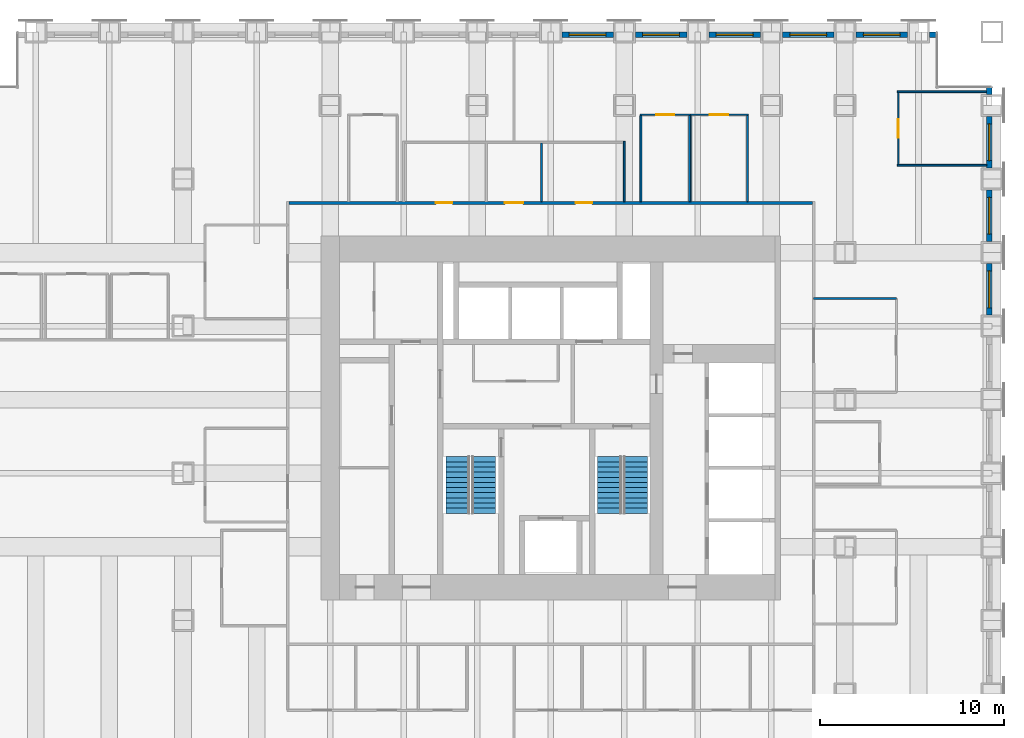
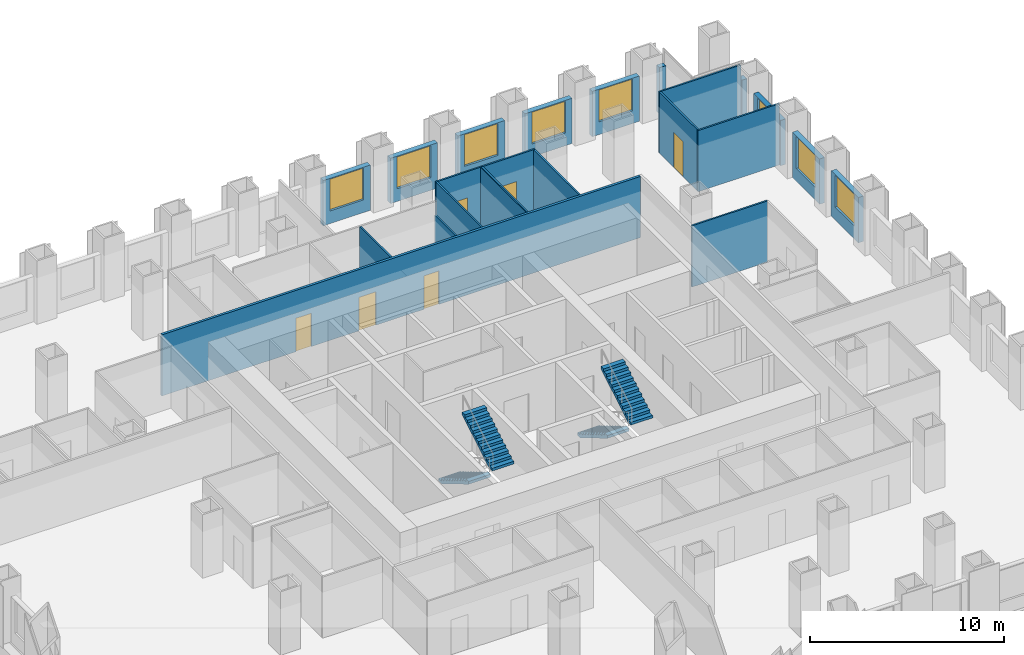
# One storey, part 12 of 14: 23 walls, 8 windows, 6 doors, 4 stair flights, 14 openings, 2 elements without a shape of their own.
"""IFC4 building model written with IfcOpenShell, lengths in metres."""

from ifc_helpers import new_model, si_unit, direction, frame, frame_2d, origin, place, context, subcontext, project, spatial, polyline, rectangle, outline, extrude, material, layer, layer_set, type_object, element, fill, aggregate, save


model = new_model("IFC4")

# Units and contexts
model_context = context("Model", 3, precision=1e-05, world=origin(), true_north=direction((0.0, 1.0)))
body_context = subcontext(model_context, "Body", "Model", "MODEL_VIEW")
ifc_project = project(units=[si_unit("LENGTHUNIT", "METRE"), si_unit("AREAUNIT", "SQUARE_METRE"), si_unit("VOLUMEUNIT", "CUBIC_METRE"), si_unit("PLANEANGLEUNIT", "RADIAN"), si_unit("MASSUNIT", "GRAM", prefix="KILO")], contexts=[model_context])

# Site, building, storey
site_placement = place(None, origin())
site = spatial("IfcSite", under=ifc_project, at=site_placement, CompositionType="ELEMENT")
building_placement = place(site_placement, origin())
building = spatial("IfcBuilding", under=site, at=building_placement, Name="Rimbunsela Tower", CompositionType="ELEMENT")
storey_placement = place(building_placement, frame((0.0, 0.0, 59.0)))
storey = spatial("IfcBuildingStorey", under=building, at=storey_placement, Name="L14", CompositionType="ELEMENT", Elevation=59.0)

# Wall
ifc_material_1 = material(Name="Gypsum board on steel studs", Category="steel")
ifc_layer_1 = layer(ifc_material_1, 0.10009765625)
ifc_layer_set_1 = layer_set([ifc_layer_1], Name="Office partition 100")
wall_type_1 = type_object("IfcWallType", Name="Office partition 100", PredefinedType="PARTITIONING", material=ifc_layer_set_1)
wall_1_placement = place(storey_placement, frame((48.85009765625, 40.75, 0.0), z_axis=(0.0, 0.0, 1.0), x_axis=(1.0, 0.0, 0.0)))
element("IfcWall", 1, at=wall_1_placement, inside=storey, type_object=wall_type_1, Name="Office partition", PredefinedType="PARTITIONING", context=body_context, shape_type="SweptSolid", body=[
    extrude(rectangle(XDim=4.849853515625, YDim=0.10009765625, at=frame_2d((2.4248046875, 0.0))), origin(), (0.0, 0.0, 1.0), 3.85009765625),
])

# Wall, opening, door
wall_2_placement = place(storey_placement, frame((34.85009765625, 43.5, 0.0), z_axis=(0.0, 0.0, 1.0), x_axis=(1.0, 0.0, 0.0)))
wall_2 = element("IfcWall", 2, at=wall_2_placement, inside=storey, type_object=wall_type_1, Name="Office partition", PredefinedType="PARTITIONING", context=body_context, shape_type="SweptSolid", body=[
    extrude(rectangle(XDim=2.75, YDim=0.10009765625, at=frame_2d((1.375, 0.0))), origin(), (0.0, 0.0, 1.0), 3.85009765625),
])
opening_1_placement = place(wall_2_placement, frame((0.875, 0.0, 0.0)))
opening_1 = element("IfcOpeningElement", 3, at=opening_1_placement, cuts=wall_2, Name="Opening D16", PredefinedType="OPENING", context=body_context, shape_type="SweptSolid", body=[
    extrude(rectangle(XDim=1.0, YDim=2.199951171875, at=frame_2d((0.5, 1.10009765625))), frame((0.0, 0.06005859375, 0.0), z_axis=(0.0, -1.0, 0.0), x_axis=(1.0, 0.0, 0.0)), (0.0, 0.0, 1.0), 0.1201171875),
])
ifc_material_2 = material(Name="Timber door", Category="wood")
door_type_1 = type_object("IfcDoorType", Name="Office door 1000", OperationType="SINGLE_SWING_LEFT", PredefinedType="DOOR", material=ifc_material_2)
door_1_placement = place(opening_1_placement, origin())
door_1 = element("IfcDoor", 4, at=door_1_placement, inside=storey, type_object=door_type_1, Name="Office door", OperationType="SINGLE_SWING_LEFT", OverallHeight=2.199951171875, OverallWidth=1.0, PredefinedType="DOOR", context=body_context, shape_type="SweptSolid", body=[
    extrude(rectangle(XDim=1.0, YDim=2.199951171875, at=frame_2d((0.5, 1.10009765625))), frame((0.0, 0.02490234375, 0.0), z_axis=(0.0, -1.0, 0.0), x_axis=(1.0, 0.0, 0.0)), (0.0, 0.0, 1.0), 0.050048828125),
])
fill(opening_1, door_1)

wall_3_placement = place(storey_placement, frame((37.550048828125, 43.5, 0.0), z_axis=(0.0, 0.0, 1.0), x_axis=(1.0, 0.0, 0.0)))
wall_3 = element("IfcWall", 5, at=wall_3_placement, inside=storey, type_object=wall_type_1, Name="Office partition", PredefinedType="PARTITIONING", context=body_context, shape_type="SweptSolid", body=[
    extrude(rectangle(XDim=3.199951171875, YDim=0.10009765625, at=frame_2d((1.60009765625, 0.0))), origin(), (0.0, 0.0, 1.0), 3.85009765625),
])
opening_2_placement = place(wall_3_placement, frame((1.10009765625, 0.0, 0.0)))
opening_2 = element("IfcOpeningElement", 6, at=opening_2_placement, cuts=wall_3, Name="Opening D16", PredefinedType="OPENING", context=body_context, shape_type="SweptSolid", body=[
    extrude(rectangle(XDim=1.0, YDim=2.199951171875, at=frame_2d((0.5, 1.10009765625))), frame((0.0, 0.06005859375, 0.0), z_axis=(0.0, -1.0, 0.0), x_axis=(1.0, 0.0, 0.0)), (0.0, 0.0, 1.0), 0.1201171875),
])
door_2_placement = place(opening_2_placement, origin())
door_2 = element("IfcDoor", 7, at=door_2_placement, inside=storey, type_object=door_type_1, Name="Office door", OperationType="SINGLE_SWING_LEFT", OverallHeight=2.199951171875, OverallWidth=1.0, PredefinedType="DOOR", context=body_context, shape_type="SweptSolid", body=[
    extrude(rectangle(XDim=1.0, YDim=2.199951171875, at=frame_2d((0.5, 1.10009765625))), frame((0.0, 0.02490234375, 0.0), z_axis=(0.0, -1.0, 0.0), x_axis=(1.0, 0.0, 0.0)), (0.0, 0.0, 1.0), 0.050048828125),
])
fill(opening_2, door_2)

# Walls
wall_4_placement = place(storey_placement, frame((48.85009765625, 44.75, 0.0), z_axis=(0.0, 0.0, 1.0), x_axis=(1.0, 0.0, 0.0)))
element("IfcWall", 8, at=wall_4_placement, inside=storey, type_object=wall_type_1, Name="Office partition", PredefinedType="PARTITIONING", context=body_context, shape_type="SweptSolid", body=[
    extrude(rectangle(XDim=4.849853515625, YDim=0.10009765625, at=frame_2d((2.4248046875, 0.0))), origin(), (0.0, 0.0, 1.0), 3.85009765625),
])
for number, where, z_axis, x_axis, name in (
    (9, (34.89990234375, 38.77490234375, 0.0), (0.0, 0.0, 1.0), (0.0, 1.0, 0.0), "Office partition"),
    (10, (37.550048828125, 38.77490234375, 0.0), (0.0, 0.0, 1.0), (0.0, 1.0, 0.0), "Office partition"),
    (11, (37.60009765625, 38.77490234375, 0.0), (0.0, 0.0, 1.0), (0.0, 1.0, 0.0), "Office partition"),
    (12, (40.699951171875, 38.77490234375, 0.0), (0.0, 0.0, 1.0), (0.0, 1.0, 0.0), "Office partition"),
):
    element("IfcWall", number, at=place(storey_placement, frame(where, z_axis=z_axis, x_axis=x_axis)), inside=storey, type_object=wall_type_1, Name=name, PredefinedType="PARTITIONING", context=body_context, shape_type="SweptSolid", body=[
        extrude(rectangle(XDim=4.675048828125, YDim=0.10009765625, at=frame_2d((2.33740234375, 0.0))), origin(), (0.0, 0.0, 1.0), 3.85009765625),
    ])

# Wall, opening, door
wall_5_placement = place(storey_placement, frame((48.89990234375, 40.800048828125, 0.0), z_axis=(0.0, 0.0, 1.0), x_axis=(0.0, 1.0, 0.0)))
wall_5 = element("IfcWall", 13, at=wall_5_placement, inside=storey, type_object=wall_type_1, Name="Office partition", PredefinedType="PARTITIONING", context=body_context, shape_type="SweptSolid", body=[
    extrude(rectangle(XDim=3.89990234375, YDim=0.10009765625, at=frame_2d((1.949951171875, 0.0))), origin(), (0.0, 0.0, 1.0), 3.85009765625),
])
opening_3_placement = place(wall_5_placement, frame((1.449951171875, 0.0, 0.0)))
opening_3 = element("IfcOpeningElement", 14, at=opening_3_placement, cuts=wall_5, Name="Opening D17", PredefinedType="OPENING", context=body_context, shape_type="SweptSolid", body=[
    extrude(rectangle(XDim=1.0, YDim=2.199951171875, at=frame_2d((0.5, 1.10009765625))), frame((0.0, 0.06005859375, 0.0), z_axis=(0.0, -1.0, 0.0), x_axis=(1.0, 0.0, 0.0)), (0.0, 0.0, 1.0), 0.1201171875),
])
ifc_material_3 = material(Name="Glazed aluminium door", Category="aluminium")
door_type_2 = type_object("IfcDoorType", Name="Meeting room door 1000 glazed", OperationType="SINGLE_SWING_RIGHT", PredefinedType="DOOR", material=ifc_material_3)
door_3_placement = place(opening_3_placement, origin())
door_3 = element("IfcDoor", 15, at=door_3_placement, inside=storey, type_object=door_type_2, Name="Meeting room door", OperationType="SINGLE_SWING_RIGHT", OverallHeight=2.199951171875, OverallWidth=1.0, PredefinedType="DOOR", context=body_context, shape_type="SweptSolid", body=[
    extrude(rectangle(XDim=1.0, YDim=2.199951171875, at=frame_2d((0.5, 1.10009765625))), frame((0.0, 0.02490234375, 0.0), z_axis=(0.0, -1.0, 0.0), x_axis=(1.0, 0.0, 0.0)), (0.0, 0.0, 1.0), 0.050048828125),
])
fill(opening_3, door_3)

# Wall
wall_6_placement = place(storey_placement, frame((48.800048828125, 33.5, 0.0), z_axis=(0.0, 0.0, 1.0), x_axis=(-1.0, 0.0, 0.0)))
element("IfcWall", 16, at=wall_6_placement, inside=storey, type_object=wall_type_1, Name="Office partition", PredefinedType="PARTITIONING", context=body_context, shape_type="SweptSolid", body=[
    extrude(rectangle(XDim=4.5, YDim=0.10009765625, at=frame_2d((2.25, 0.0))), origin(), (0.0, 0.0, 1.0), 3.85009765625),
])

# Wall, opening, window
ifc_material_4 = material(Name="Precast concrete fc' 35 MPa", Category="concrete")
ifc_layer_2 = layer(ifc_material_4, 0.300048828125)
ifc_layer_set_2 = layer_set([ifc_layer_2], Name="Precast concrete fc' 35 MPa")
wall_type_2 = type_object("IfcWallType", Name="Precast facade panel 300", PredefinedType="ELEMENTEDWALL", material=ifc_layer_set_2)
wall_7_placement = place(storey_placement, frame((53.85009765625, 32.60009765625, 0.0), z_axis=(0.0, 0.0, 1.0), x_axis=(0.0, 1.0, 0.0)))
wall_7 = element("IfcWall", 17, at=wall_7_placement, inside=storey, type_object=wall_type_2, Name="Facade panel E L14", PredefinedType="ELEMENTEDWALL", context=body_context, shape_type="SweptSolid", body=[
    extrude(rectangle(XDim=2.7998046875, YDim=0.300048828125, at=frame_2d((1.39990234375, 0.0))), origin(), (0.0, 0.0, 1.0), 2.85009765625),
])
opening_4_placement = place(wall_7_placement, frame((0.39990234375, 0.0, 0.800048828125)))
opening_4 = element("IfcOpeningElement", 18, at=opening_4_placement, cuts=wall_7, Name="Opening W1", PredefinedType="OPENING", context=body_context, shape_type="SweptSolid", body=[
    extrude(rectangle(XDim=2.0, YDim=2.0, at=frame_2d((1.0, 1.0))), frame((0.0, 0.159912109375, 0.0), z_axis=(0.0, -1.0, 0.0), x_axis=(1.0, 0.0, 0.0)), (0.0, 0.0, 1.0), 0.320068359375),
])
ifc_material_5 = material(Name="Clear glass in aluminium frame", Category="aluminium")
window_type = type_object("IfcWindowType", Name="Window W1 2000x2000", PartitioningType="DOUBLE_PANEL_VERTICAL", PredefinedType="WINDOW", material=ifc_material_5)
window_1_placement = place(opening_4_placement, origin())
window_1 = element("IfcWindow", 19, at=window_1_placement, inside=storey, type_object=window_type, Name="Window L14", OverallHeight=2.0, OverallWidth=2.0, PartitioningType="SINGLE_PANEL", PredefinedType="WINDOW", context=body_context, shape_type="SweptSolid", body=[
    extrude(rectangle(XDim=2.0, YDim=2.0, at=frame_2d((1.0, 1.0))), frame((0.0, 0.030029296875, 0.0), z_axis=(0.0, -1.0, 0.0), x_axis=(1.0, 0.0, 0.0)), (0.0, 0.0, 1.0), 0.06005859375),
])
fill(opening_4, window_1)

wall_8_placement = place(storey_placement, frame((53.85009765625, 36.60009765625, 0.0), z_axis=(0.0, 0.0, 1.0), x_axis=(0.0, 1.0, 0.0)))
wall_8 = element("IfcWall", 20, at=wall_8_placement, inside=storey, type_object=wall_type_2, Name="Facade panel E L14", PredefinedType="ELEMENTEDWALL", context=body_context, shape_type="SweptSolid", body=[
    extrude(rectangle(XDim=2.7998046875, YDim=0.300048828125, at=frame_2d((1.39990234375, 0.0))), origin(), (0.0, 0.0, 1.0), 2.85009765625),
])
opening_5_placement = place(wall_8_placement, frame((0.39990234375, 0.0, 0.800048828125)))
opening_5 = element("IfcOpeningElement", 21, at=opening_5_placement, cuts=wall_8, Name="Opening W1", PredefinedType="OPENING", context=body_context, shape_type="SweptSolid", body=[
    extrude(rectangle(XDim=2.0, YDim=2.0, at=frame_2d((1.0, 1.0))), frame((0.0, 0.159912109375, 0.0), z_axis=(0.0, -1.0, 0.0), x_axis=(1.0, 0.0, 0.0)), (0.0, 0.0, 1.0), 0.320068359375),
])
window_2_placement = place(opening_5_placement, origin())
window_2 = element("IfcWindow", 22, at=window_2_placement, inside=storey, type_object=window_type, Name="Window L14", OverallHeight=2.0, OverallWidth=2.0, PartitioningType="SINGLE_PANEL", PredefinedType="WINDOW", context=body_context, shape_type="SweptSolid", body=[
    extrude(rectangle(XDim=2.0, YDim=2.0, at=frame_2d((1.0, 1.0))), frame((0.0, 0.030029296875, 0.0), z_axis=(0.0, -1.0, 0.0), x_axis=(1.0, 0.0, 0.0)), (0.0, 0.0, 1.0), 0.06005859375),
])
fill(opening_5, window_2)

wall_9_placement = place(storey_placement, frame((53.85009765625, 40.60009765625, 0.0), z_axis=(0.0, 0.0, 1.0), x_axis=(0.0, 1.0, 0.0)))
wall_9 = element("IfcWall", 23, at=wall_9_placement, inside=storey, type_object=wall_type_2, Name="Facade panel E L14", PredefinedType="ELEMENTEDWALL", context=body_context, shape_type="SweptSolid", body=[
    extrude(rectangle(XDim=2.7998046875, YDim=0.300048828125, at=frame_2d((1.39990234375, 0.0))), origin(), (0.0, 0.0, 1.0), 2.85009765625),
])
opening_6_placement = place(wall_9_placement, frame((0.39990234375, 0.0, 0.800048828125)))
opening_6 = element("IfcOpeningElement", 24, at=opening_6_placement, cuts=wall_9, Name="Opening W1", PredefinedType="OPENING", context=body_context, shape_type="SweptSolid", body=[
    extrude(rectangle(XDim=2.0, YDim=2.0, at=frame_2d((1.0, 1.0))), frame((0.0, 0.159912109375, 0.0), z_axis=(0.0, -1.0, 0.0), x_axis=(1.0, 0.0, 0.0)), (0.0, 0.0, 1.0), 0.320068359375),
])
window_3_placement = place(opening_6_placement, origin())
window_3 = element("IfcWindow", 25, at=window_3_placement, inside=storey, type_object=window_type, Name="Window L14", OverallHeight=2.0, OverallWidth=2.0, PartitioningType="SINGLE_PANEL", PredefinedType="WINDOW", context=body_context, shape_type="SweptSolid", body=[
    extrude(rectangle(XDim=2.0, YDim=2.0, at=frame_2d((1.0, 1.0))), frame((0.0, 0.030029296875, 0.0), z_axis=(0.0, -1.0, 0.0), x_axis=(1.0, 0.0, 0.0)), (0.0, 0.0, 1.0), 0.06005859375),
])
fill(opening_6, window_3)

# Wall
wall_10_placement = place(storey_placement, frame((53.85009765625, 44.60009765625, 0.0), z_axis=(0.0, 0.0, 1.0), x_axis=(0.0, 1.0, 0.0)))
element("IfcWall", 26, at=wall_10_placement, inside=storey, type_object=wall_type_2, Name="Facade panel E L14", PredefinedType="ELEMENTEDWALL", context=body_context, shape_type="SweptSolid", body=[
    extrude(rectangle(XDim=0.369873046875, YDim=0.300048828125, at=frame_2d((0.18505859375, 0.0))), origin(), (0.0, 0.0, 1.0), 2.949951171875),
])

# Wall, opening, window
wall_11_placement = place(storey_placement, frame((33.39990234375, 47.85009765625, 0.0), z_axis=(0.0, 0.0, 1.0), x_axis=(-1.0, 0.0, 0.0)))
wall_11 = element("IfcWall", 27, at=wall_11_placement, inside=storey, type_object=wall_type_2, Name="Facade panel N L14", PredefinedType="ELEMENTEDWALL", context=body_context, shape_type="SweptSolid", body=[
    extrude(rectangle(XDim=2.7998046875, YDim=0.300048828125, at=frame_2d((1.39990234375, 0.0))), origin(), (0.0, 0.0, 1.0), 2.85009765625),
])
opening_7_placement = place(wall_11_placement, frame((0.39990234375, 0.0, 0.800048828125)))
opening_7 = element("IfcOpeningElement", 28, at=opening_7_placement, cuts=wall_11, Name="Opening W1", PredefinedType="OPENING", context=body_context, shape_type="SweptSolid", body=[
    extrude(rectangle(XDim=2.0, YDim=2.0, at=frame_2d((1.0, 1.0))), frame((0.0, 0.159912109375, 0.0), z_axis=(0.0, -1.0, 0.0), x_axis=(1.0, 0.0, 0.0)), (0.0, 0.0, 1.0), 0.320068359375),
])
window_4_placement = place(opening_7_placement, origin())
window_4 = element("IfcWindow", 29, at=window_4_placement, inside=storey, type_object=window_type, Name="Window L14", OverallHeight=2.0, OverallWidth=2.0, PartitioningType="SINGLE_PANEL", PredefinedType="WINDOW", context=body_context, shape_type="SweptSolid", body=[
    extrude(rectangle(XDim=2.0, YDim=2.0, at=frame_2d((1.0, 1.0))), frame((0.0, 0.030029296875, 0.0), z_axis=(0.0, -1.0, 0.0), x_axis=(1.0, 0.0, 0.0)), (0.0, 0.0, 1.0), 0.06005859375),
])
fill(opening_7, window_4)

wall_12_placement = place(storey_placement, frame((37.39990234375, 47.85009765625, 0.0), z_axis=(0.0, 0.0, 1.0), x_axis=(-1.0, 0.0, 0.0)))
wall_12 = element("IfcWall", 30, at=wall_12_placement, inside=storey, type_object=wall_type_2, Name="Facade panel N L14", PredefinedType="ELEMENTEDWALL", context=body_context, shape_type="SweptSolid", body=[
    extrude(rectangle(XDim=2.7998046875, YDim=0.300048828125, at=frame_2d((1.39990234375, 0.0))), origin(), (0.0, 0.0, 1.0), 2.85009765625),
])
opening_8_placement = place(wall_12_placement, frame((0.39990234375, 0.0, 0.800048828125)))
opening_8 = element("IfcOpeningElement", 31, at=opening_8_placement, cuts=wall_12, Name="Opening W1", PredefinedType="OPENING", context=body_context, shape_type="SweptSolid", body=[
    extrude(rectangle(XDim=2.0, YDim=2.0, at=frame_2d((1.0, 1.0))), frame((0.0, 0.159912109375, 0.0), z_axis=(0.0, -1.0, 0.0), x_axis=(1.0, 0.0, 0.0)), (0.0, 0.0, 1.0), 0.320068359375),
])
window_5_placement = place(opening_8_placement, origin())
window_5 = element("IfcWindow", 32, at=window_5_placement, inside=storey, type_object=window_type, Name="Window L14", OverallHeight=2.0, OverallWidth=2.0, PartitioningType="SINGLE_PANEL", PredefinedType="WINDOW", context=body_context, shape_type="SweptSolid", body=[
    extrude(rectangle(XDim=2.0, YDim=2.0, at=frame_2d((1.0, 1.0))), frame((0.0, 0.030029296875, 0.0), z_axis=(0.0, -1.0, 0.0), x_axis=(1.0, 0.0, 0.0)), (0.0, 0.0, 1.0), 0.06005859375),
])
fill(opening_8, window_5)

wall_13_placement = place(storey_placement, frame((41.39990234375, 47.85009765625, 0.0), z_axis=(0.0, 0.0, 1.0), x_axis=(-1.0, 0.0, 0.0)))
wall_13 = element("IfcWall", 33, at=wall_13_placement, inside=storey, type_object=wall_type_2, Name="Facade panel N L14", PredefinedType="ELEMENTEDWALL", context=body_context, shape_type="SweptSolid", body=[
    extrude(rectangle(XDim=2.7998046875, YDim=0.300048828125, at=frame_2d((1.39990234375, 0.0))), origin(), (0.0, 0.0, 1.0), 2.85009765625),
])
opening_9_placement = place(wall_13_placement, frame((0.39990234375, 0.0, 0.800048828125)))
opening_9 = element("IfcOpeningElement", 34, at=opening_9_placement, cuts=wall_13, Name="Opening W1", PredefinedType="OPENING", context=body_context, shape_type="SweptSolid", body=[
    extrude(rectangle(XDim=2.0, YDim=2.0, at=frame_2d((1.0, 1.0))), frame((0.0, 0.159912109375, 0.0), z_axis=(0.0, -1.0, 0.0), x_axis=(1.0, 0.0, 0.0)), (0.0, 0.0, 1.0), 0.320068359375),
])
window_6_placement = place(opening_9_placement, origin())
window_6 = element("IfcWindow", 35, at=window_6_placement, inside=storey, type_object=window_type, Name="Window L14", OverallHeight=2.0, OverallWidth=2.0, PartitioningType="SINGLE_PANEL", PredefinedType="WINDOW", context=body_context, shape_type="SweptSolid", body=[
    extrude(rectangle(XDim=2.0, YDim=2.0, at=frame_2d((1.0, 1.0))), frame((0.0, 0.030029296875, 0.0), z_axis=(0.0, -1.0, 0.0), x_axis=(1.0, 0.0, 0.0)), (0.0, 0.0, 1.0), 0.06005859375),
])
fill(opening_9, window_6)

wall_14_placement = place(storey_placement, frame((45.39990234375, 47.85009765625, 0.0), z_axis=(0.0, 0.0, 1.0), x_axis=(-1.0, 0.0, 0.0)))
wall_14 = element("IfcWall", 36, at=wall_14_placement, inside=storey, type_object=wall_type_2, Name="Facade panel N L14", PredefinedType="ELEMENTEDWALL", context=body_context, shape_type="SweptSolid", body=[
    extrude(rectangle(XDim=2.7998046875, YDim=0.300048828125, at=frame_2d((1.39990234375, 0.0))), origin(), (0.0, 0.0, 1.0), 2.85009765625),
])
opening_10_placement = place(wall_14_placement, frame((0.39990234375, 0.0, 0.800048828125)))
opening_10 = element("IfcOpeningElement", 37, at=opening_10_placement, cuts=wall_14, Name="Opening W1", PredefinedType="OPENING", context=body_context, shape_type="SweptSolid", body=[
    extrude(rectangle(XDim=2.0, YDim=2.0, at=frame_2d((1.0, 1.0))), frame((0.0, 0.159912109375, 0.0), z_axis=(0.0, -1.0, 0.0), x_axis=(1.0, 0.0, 0.0)), (0.0, 0.0, 1.0), 0.320068359375),
])
window_7_placement = place(opening_10_placement, origin())
window_7 = element("IfcWindow", 38, at=window_7_placement, inside=storey, type_object=window_type, Name="Window L14", OverallHeight=2.0, OverallWidth=2.0, PartitioningType="SINGLE_PANEL", PredefinedType="WINDOW", context=body_context, shape_type="SweptSolid", body=[
    extrude(rectangle(XDim=2.0, YDim=2.0, at=frame_2d((1.0, 1.0))), frame((0.0, 0.030029296875, 0.0), z_axis=(0.0, -1.0, 0.0), x_axis=(1.0, 0.0, 0.0)), (0.0, 0.0, 1.0), 0.06005859375),
])
fill(opening_10, window_7)

wall_15_placement = place(storey_placement, frame((49.39990234375, 47.85009765625, 0.0), z_axis=(0.0, 0.0, 1.0), x_axis=(-1.0, 0.0, 0.0)))
wall_15 = element("IfcWall", 39, at=wall_15_placement, inside=storey, type_object=wall_type_2, Name="Facade panel N L14", PredefinedType="ELEMENTEDWALL", context=body_context, shape_type="SweptSolid", body=[
    extrude(rectangle(XDim=2.7998046875, YDim=0.300048828125, at=frame_2d((1.39990234375, 0.0))), origin(), (0.0, 0.0, 1.0), 2.85009765625),
])
opening_11_placement = place(wall_15_placement, frame((0.39990234375, 0.0, 0.800048828125)))
opening_11 = element("IfcOpeningElement", 40, at=opening_11_placement, cuts=wall_15, Name="Opening W1", PredefinedType="OPENING", context=body_context, shape_type="SweptSolid", body=[
    extrude(rectangle(XDim=2.0, YDim=2.0, at=frame_2d((1.0, 1.0))), frame((0.0, 0.159912109375, 0.0), z_axis=(0.0, -1.0, 0.0), x_axis=(1.0, 0.0, 0.0)), (0.0, 0.0, 1.0), 0.320068359375),
])
window_8_placement = place(opening_11_placement, origin())
window_8 = element("IfcWindow", 41, at=window_8_placement, inside=storey, type_object=window_type, Name="Window L14", OverallHeight=2.0, OverallWidth=2.0, PartitioningType="SINGLE_PANEL", PredefinedType="WINDOW", context=body_context, shape_type="SweptSolid", body=[
    extrude(rectangle(XDim=2.0, YDim=2.0, at=frame_2d((1.0, 1.0))), frame((0.0, 0.030029296875, 0.0), z_axis=(0.0, -1.0, 0.0), x_axis=(1.0, 0.0, 0.0)), (0.0, 0.0, 1.0), 0.06005859375),
])
fill(opening_11, window_8)

# Wall
wall_16_placement = place(storey_placement, frame((50.969970703125, 47.85009765625, 0.0), z_axis=(0.0, 0.0, 1.0), x_axis=(-1.0, 0.0, 0.0)))
element("IfcWall", 42, at=wall_16_placement, inside=storey, type_object=wall_type_2, Name="Facade panel N L14", PredefinedType="ELEMENTEDWALL", context=body_context, shape_type="SweptSolid", body=[
    extrude(rectangle(XDim=0.369873046875, YDim=0.300048828125, at=frame_2d((0.18505859375, 0.0))), origin(), (0.0, 0.0, 1.0), 2.949951171875),
])

# Wall, openings, doors
ifc_material_6 = material(Name="Fire-rated gypsum board on steel studs, EI 60", Category="steel")
ifc_layer_3 = layer(ifc_material_6, 0.14990234375)
ifc_layer_set_3 = layer_set([ifc_layer_3], Name="Rated corridor wall 150")
wall_type_3 = type_object("IfcWallType", Name="Rated corridor wall 150", PredefinedType="PARTITIONING", material=ifc_layer_set_3)
wall_17_placement = place(storey_placement, frame((15.77490234375, 38.699951171875, 0.0), z_axis=(0.0, 0.0, 1.0), x_axis=(1.0, 0.0, 0.0)))
wall_17 = element("IfcWall", 43, at=wall_17_placement, inside=storey, type_object=wall_type_3, Name="Corridor wall north", PredefinedType="PARTITIONING", context=body_context, shape_type="SweptSolid", body=[
    extrude(rectangle(XDim=28.4501953125, YDim=0.14990234375, at=frame_2d((14.22509765625, 0.0))), origin(), (0.0, 0.0, 1.0), 3.85009765625),
])
opening_12_placement = place(wall_17_placement, frame((7.97509765625, 0.0, 0.0)))
opening_12 = element("IfcOpeningElement", 44, at=opening_12_placement, cuts=wall_17, Name="Opening D04", PredefinedType="OPENING", context=body_context, shape_type="SweptSolid", body=[
    extrude(rectangle(XDim=0.89990234375, YDim=2.10009765625, at=frame_2d((0.449951171875, 1.050048828125))), frame((0.0, 0.0849609375, 0.0), z_axis=(0.0, -1.0, 0.0), x_axis=(1.0, 0.0, 0.0)), (0.0, 0.0, 1.0), 0.169921875),
])
opening_13_placement = place(wall_17_placement, frame((11.72509765625, 0.0, 0.0)))
opening_13 = element("IfcOpeningElement", 45, at=opening_13_placement, cuts=wall_17, Name="Opening D05", PredefinedType="OPENING", context=body_context, shape_type="SweptSolid", body=[
    extrude(rectangle(XDim=1.0, YDim=2.10009765625, at=frame_2d((0.5, 1.050048828125))), frame((0.0, 0.0849609375, 0.0), z_axis=(0.0, -1.0, 0.0), x_axis=(1.0, 0.0, 0.0)), (0.0, 0.0, 1.0), 0.169921875),
])
opening_14_placement = place(wall_17_placement, frame((15.574951171875, 0.0, 0.0)))
opening_14 = element("IfcOpeningElement", 46, at=opening_14_placement, cuts=wall_17, Name="Opening D04", PredefinedType="OPENING", context=body_context, shape_type="SweptSolid", body=[
    extrude(rectangle(XDim=0.89990234375, YDim=2.10009765625, at=frame_2d((0.449951171875, 1.050048828125))), frame((0.0, 0.0849609375, 0.0), z_axis=(0.0, -1.0, 0.0), x_axis=(1.0, 0.0, 0.0)), (0.0, 0.0, 1.0), 0.169921875),
])
ifc_material_7 = material(Name="Timber door", Category="wood")
door_type_3 = type_object("IfcDoorType", Name="Accessible WC door 1000", OperationType="SLIDING_TO_LEFT", PredefinedType="DOOR", material=ifc_material_7)
door_4_placement = place(opening_13_placement, origin())
door_4 = element("IfcDoor", 47, at=door_4_placement, inside=storey, type_object=door_type_3, Name="Accessible WC door", OperationType="SLIDING_TO_LEFT", OverallHeight=2.10009765625, OverallWidth=1.0, PredefinedType="DOOR", context=body_context, shape_type="SweptSolid", body=[
    extrude(rectangle(XDim=1.0, YDim=2.10009765625, at=frame_2d((0.5, 1.050048828125))), frame((0.0, 0.02490234375, 0.0), z_axis=(0.0, -1.0, 0.0), x_axis=(1.0, 0.0, 0.0)), (0.0, 0.0, 1.0), 0.050048828125),
])
fill(opening_13, door_4)
ifc_material_8 = material(Name="Timber door", Category="wood")
door_type_4 = type_object("IfcDoorType", Name="Toilet door 900", OperationType="SINGLE_SWING_LEFT", PredefinedType="DOOR", material=ifc_material_8)
door_5_placement = place(opening_12_placement, origin())
door_5 = element("IfcDoor", 48, at=door_5_placement, inside=storey, type_object=door_type_4, Name="Female WC door", OperationType="SINGLE_SWING_LEFT", OverallHeight=2.10009765625, OverallWidth=0.89990234375, PredefinedType="DOOR", context=body_context, shape_type="SweptSolid", body=[
    extrude(rectangle(XDim=0.89990234375, YDim=2.10009765625, at=frame_2d((0.449951171875, 1.050048828125))), frame((0.0, 0.02490234375, 0.0), z_axis=(0.0, -1.0, 0.0), x_axis=(1.0, 0.0, 0.0)), (0.0, 0.0, 1.0), 0.050048828125),
])
fill(opening_12, door_5)
door_6_placement = place(opening_14_placement, origin())
door_6 = element("IfcDoor", 49, at=door_6_placement, inside=storey, type_object=door_type_4, Name="Male WC door", OperationType="SINGLE_SWING_LEFT", OverallHeight=2.10009765625, OverallWidth=0.89990234375, PredefinedType="DOOR", context=body_context, shape_type="SweptSolid", body=[
    extrude(rectangle(XDim=0.89990234375, YDim=2.10009765625, at=frame_2d((0.449951171875, 1.050048828125))), frame((0.0, 0.02490234375, 0.0), z_axis=(0.0, -1.0, 0.0), x_axis=(1.0, 0.0, 0.0)), (0.0, 0.0, 1.0), 0.050048828125),
])
fill(opening_14, door_6)

# Walls
ifc_material_9 = material(Name="Concrete blockwork", Category="masonry")
ifc_layer_4 = layer(ifc_material_9, 0.10009765625)
ifc_layer_set_4 = layer_set([ifc_layer_4], Name="Toilet partition 100")
wall_type_4 = type_object("IfcWallType", Name="Toilet partition 100", PredefinedType="PARTITIONING", material=ifc_layer_set_4)
wall_18_placement = place(storey_placement, frame((34.0, 38.77490234375, 0.0), z_axis=(0.0, 0.0, 1.0), x_axis=(0.0, 1.0, 0.0)))
element("IfcWall", 50, at=wall_18_placement, inside=storey, type_object=wall_type_4, Name="Toilet block wall east", PredefinedType="PARTITIONING", context=body_context, shape_type="SweptSolid", body=[
    extrude(rectangle(XDim=3.275146484375, YDim=0.10009765625, at=frame_2d((1.6376953125, 0.0))), origin(), (0.0, 0.0, 1.0), 2.949951171875),
])
wall_19_placement = place(storey_placement, frame((29.5, 38.77490234375, 0.0), z_axis=(0.0, 0.0, 1.0), x_axis=(0.0, 1.0, 0.0)))
element("IfcWall", 51, at=wall_19_placement, inside=storey, type_object=wall_type_4, Name="Toilet partition", PredefinedType="PARTITIONING", context=body_context, shape_type="SweptSolid", body=[
    extrude(rectangle(XDim=3.175048828125, YDim=0.10009765625, at=frame_2d((1.58740234375, 0.0))), origin(), (0.0, 0.0, 1.0), 3.85009765625),
])

# Stair, stair flights
ifc_material_10 = material(Name="Concrete fc' 35 MPa", Category="concrete")
stair_type = type_object("IfcStairType", Name="Exit stair 24 risers", PredefinedType="HALF_TURN_STAIR", material=ifc_material_10)
stair_1_placement = place(storey_placement, origin())
stair_1 = element("IfcStair", 52, at=stair_1_placement, inside=storey, type_object=stair_type, Name="Exit stair A L14", PredefinedType="HALF_TURN_STAIR")
ifc_material_11 = material(Name="Concrete fc' 35 MPa", Category="concrete")
stair_flight_type = type_object("IfcStairFlightType", Name="Stair flight 12 risers 167", PredefinedType="STRAIGHT", material=ifc_material_11)
stair_flight_1_placement = place(storey_placement, frame((24.949951171875, 24.89990234375, 0.0), z_axis=(0.0, 0.0, 1.0), x_axis=(0.0, -1.0, 0.0)))
stair_flight_1 = element("IfcStairFlight", 53, at=stair_flight_1_placement, type_object=stair_flight_type, Name="ST-A flight 1", NumberOfRisers=12, NumberOfTreads=11, PredefinedType="STRAIGHT", RiserHeight=0.166666667, TreadLength=0.28, context=body_context, shape_type="SweptSolid", body=[
    extrude(outline(polyline([(0.0, 0.0), (0.0, 0.166748046875), (0.280029296875, 0.166748046875), (0.280029296875, 0.333251953125), (0.56005859375, 0.333251953125), (0.56005859375, 0.5), (0.840087890625, 0.5), (0.840087890625, 0.666748046875), (1.1201171875, 0.666748046875), (1.1201171875, 0.833251953125), (1.39990234375, 0.833251953125), (1.39990234375, 1.0), (1.679931640625, 1.0), (1.679931640625, 1.166748046875), (1.9599609375, 1.166748046875), (1.9599609375, 1.333251953125), (2.239990234375, 1.333251953125), (2.239990234375, 1.5), (2.52001953125, 1.5), (2.52001953125, 1.666748046875), (2.800048828125, 1.666748046875), (2.800048828125, 1.833251953125), (3.080078125, 1.833251953125), (3.080078125, 2.0), (3.080078125, 1.658935546875), (0.29296875, 0.0), (0.0, 0.0)])), frame((0.0, 0.64990234375, 0.0), z_axis=(0.0, -1.0, 0.0), x_axis=(1.0, 0.0, 0.0)), (0.0, 0.0, 1.0), 1.300048828125),
])
stair_flight_2_placement = place(storey_placement, frame((26.35009765625, 21.820068359375, 2.0), z_axis=(0.0, 0.0, 1.0), x_axis=(0.0, 1.0, 0.0)))
stair_flight_2 = element("IfcStairFlight", 54, at=stair_flight_2_placement, type_object=stair_flight_type, Name="ST-A flight 2", NumberOfRisers=12, NumberOfTreads=11, PredefinedType="STRAIGHT", RiserHeight=0.166666667, TreadLength=0.28, context=body_context, shape_type="SweptSolid", body=[
    extrude(outline(polyline([(0.0, 0.0), (0.0, 0.166748046875), (0.280029296875, 0.166748046875), (0.280029296875, 0.333251953125), (0.56005859375, 0.333251953125), (0.56005859375, 0.5), (0.840087890625, 0.5), (0.840087890625, 0.666748046875), (1.1201171875, 0.666748046875), (1.1201171875, 0.833251953125), (1.39990234375, 0.833251953125), (1.39990234375, 1.0), (1.679931640625, 1.0), (1.679931640625, 1.166748046875), (1.9599609375, 1.166748046875), (1.9599609375, 1.333251953125), (2.239990234375, 1.333251953125), (2.239990234375, 1.5), (2.52001953125, 1.5), (2.52001953125, 1.666748046875), (2.800048828125, 1.666748046875), (2.800048828125, 1.833251953125), (3.080078125, 1.833251953125), (3.080078125, 2.0), (3.080078125, 1.658935546875), (0.29296875, 0.0), (0.0, 0.0)])), frame((0.0, 0.64990234375, 0.0), z_axis=(0.0, -1.0, 0.0), x_axis=(1.0, 0.0, 0.0)), (0.0, 0.0, 1.0), 1.300048828125),
])
aggregate(stair_1, [stair_flight_1, stair_flight_2])

stair_2_placement = place(storey_placement, origin())
stair_2 = element("IfcStair", 55, at=stair_2_placement, inside=storey, type_object=stair_type, Name="Exit stair B L14", PredefinedType="HALF_TURN_STAIR")
stair_flight_3_placement = place(storey_placement, frame((33.199951171875, 24.89990234375, 0.0), z_axis=(0.0, 0.0, 1.0), x_axis=(0.0, -1.0, 0.0)))
stair_flight_3 = element("IfcStairFlight", 56, at=stair_flight_3_placement, type_object=stair_flight_type, Name="ST-B flight 1", NumberOfRisers=12, NumberOfTreads=11, PredefinedType="STRAIGHT", RiserHeight=0.166666667, TreadLength=0.28, context=body_context, shape_type="SweptSolid", body=[
    extrude(outline(polyline([(0.0, 0.0), (0.0, 0.166748046875), (0.280029296875, 0.166748046875), (0.280029296875, 0.333251953125), (0.56005859375, 0.333251953125), (0.56005859375, 0.5), (0.840087890625, 0.5), (0.840087890625, 0.666748046875), (1.1201171875, 0.666748046875), (1.1201171875, 0.833251953125), (1.39990234375, 0.833251953125), (1.39990234375, 1.0), (1.679931640625, 1.0), (1.679931640625, 1.166748046875), (1.9599609375, 1.166748046875), (1.9599609375, 1.333251953125), (2.239990234375, 1.333251953125), (2.239990234375, 1.5), (2.52001953125, 1.5), (2.52001953125, 1.666748046875), (2.800048828125, 1.666748046875), (2.800048828125, 1.833251953125), (3.080078125, 1.833251953125), (3.080078125, 2.0), (3.080078125, 1.658935546875), (0.29296875, 0.0), (0.0, 0.0)])), frame((0.0, 0.64990234375, 0.0), z_axis=(0.0, -1.0, 0.0), x_axis=(1.0, 0.0, 0.0)), (0.0, 0.0, 1.0), 1.300048828125),
])
stair_flight_4_placement = place(storey_placement, frame((34.60009765625, 21.820068359375, 2.0), z_axis=(0.0, 0.0, 1.0), x_axis=(0.0, 1.0, 0.0)))
stair_flight_4 = element("IfcStairFlight", 57, at=stair_flight_4_placement, type_object=stair_flight_type, Name="ST-B flight 2", NumberOfRisers=12, NumberOfTreads=11, PredefinedType="STRAIGHT", RiserHeight=0.166666667, TreadLength=0.28, context=body_context, shape_type="SweptSolid", body=[
    extrude(outline(polyline([(0.0, 0.0), (0.0, 0.166748046875), (0.280029296875, 0.166748046875), (0.280029296875, 0.333251953125), (0.56005859375, 0.333251953125), (0.56005859375, 0.5), (0.840087890625, 0.5), (0.840087890625, 0.666748046875), (1.1201171875, 0.666748046875), (1.1201171875, 0.833251953125), (1.39990234375, 0.833251953125), (1.39990234375, 1.0), (1.679931640625, 1.0), (1.679931640625, 1.166748046875), (1.9599609375, 1.166748046875), (1.9599609375, 1.333251953125), (2.239990234375, 1.333251953125), (2.239990234375, 1.5), (2.52001953125, 1.5), (2.52001953125, 1.666748046875), (2.800048828125, 1.666748046875), (2.800048828125, 1.833251953125), (3.080078125, 1.833251953125), (3.080078125, 2.0), (3.080078125, 1.658935546875), (0.29296875, 0.0), (0.0, 0.0)])), frame((0.0, 0.64990234375, 0.0), z_axis=(0.0, -1.0, 0.0), x_axis=(1.0, 0.0, 0.0)), (0.0, 0.0, 1.0), 1.300048828125),
])
aggregate(stair_2, [stair_flight_3, stair_flight_4])

save(model, "model.ifc")
